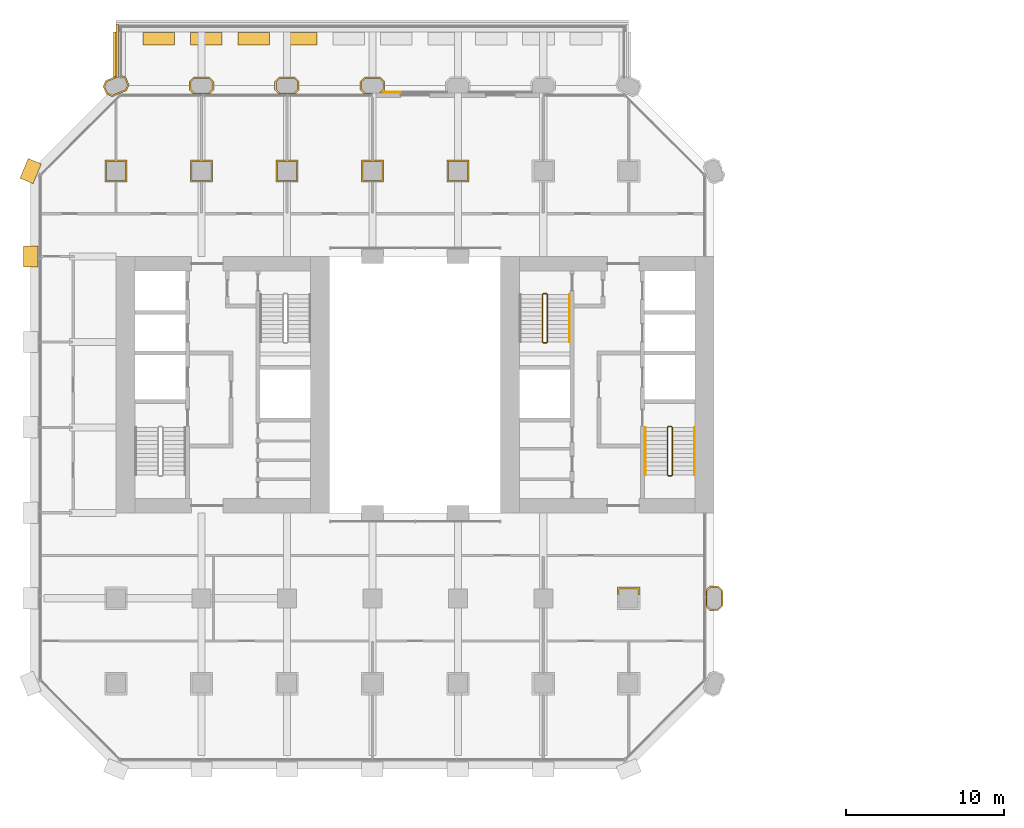
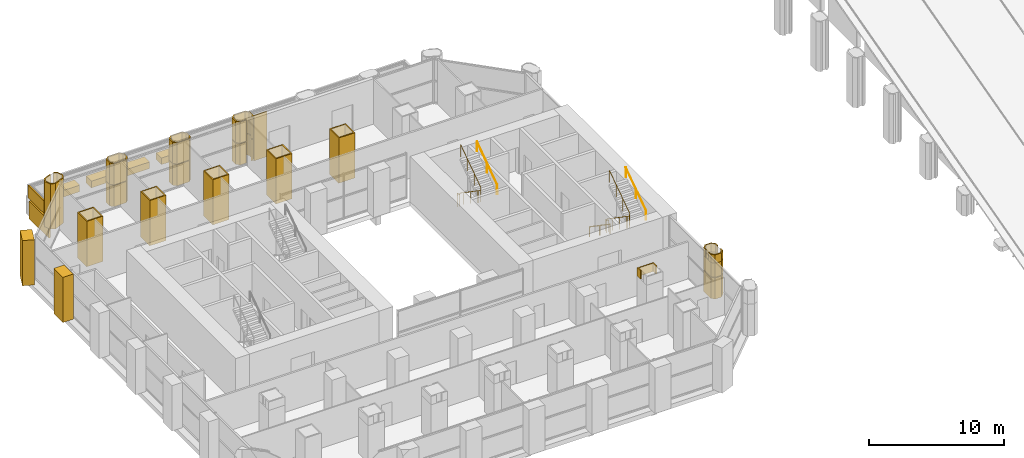
# One storey, part 20 of 23: 26 coverings, 5 railings.
"""IFC4 building model written with IfcOpenShell, lengths in metres."""

from ifc_helpers import new_model, si_unit, direction, frame, frame_2d, origin, origin_2d, place, context, subcontext, project, spatial, polyline, rectangle, circle, outline, extrude, material, layer, layer_set, type_object, element, save


model = new_model("IFC4")

# Units and contexts
model_context = context("Model", 3, precision=1e-05, world=origin(), true_north=direction((0.0, 1.0)))
body_context = subcontext(model_context, "Body", "Model", "MODEL_VIEW")
ifc_project = project(units=[si_unit("LENGTHUNIT", "METRE"), si_unit("AREAUNIT", "SQUARE_METRE"), si_unit("VOLUMEUNIT", "CUBIC_METRE"), si_unit("PLANEANGLEUNIT", "RADIAN"), si_unit("MASSUNIT", "GRAM", prefix="KILO")], contexts=[model_context])

# Site, building, storey
site_placement = place(None, origin())
site = spatial("IfcSite", under=ifc_project, at=site_placement, CompositionType="ELEMENT")
building_placement = place(site_placement, origin())
building = spatial("IfcBuilding", under=site, at=building_placement, Name="Tabaq Tower and Sports Hall", CompositionType="ELEMENT")
storey_placement = place(building_placement, frame((0.0, 0.0, 24.60009765625)))
storey = spatial("IfcBuildingStorey", under=building, at=storey_placement, Name="L04", CompositionType="ELEMENT", Elevation=24.60009765625)

# Coverings
ifc_material_1 = material(Name="Precast concrete C60/75", Category="concrete")
ifc_layer_1 = layer(ifc_material_1, 0.10009765625)
ifc_layer_set_1 = layer_set([ifc_layer_1], Name="Column cladding 100")
covering_type_1 = type_object("IfcCoveringType", Name="Column cladding 100", PredefinedType="CLADDING", material=ifc_layer_set_1)
covering_1_placement = place(storey_placement, origin())
element("IfcCovering", 1, at=covering_1_placement, inside=storey, type_object=covering_type_1, Name="Column cladding L04 CC-2H-P", PredefinedType="CLADDING", context=body_context, shape_type="SweptSolid", body=[
    extrude(outline(polyline([(4.7001953125, 38.499755859375), (6.099609375, 38.499755859375), (6.099609375, 37.100341796875), (4.7001953125, 37.100341796875), (4.7001953125, 38.499755859375)]), holes=[polyline([(6.000244140625, 37.19970703125), (6.000244140625, 38.400390625), (4.7998046875, 38.400390625), (4.7998046875, 37.19970703125), (6.000244140625, 37.19970703125)])]), origin(), (0.0, 0.0, 1.0), 4.099853515625),
])
covering_2_placement = place(storey_placement, origin())
element("IfcCovering", 2, at=covering_2_placement, inside=storey, type_object=covering_type_1, Name="Column cladding L04 PC-2I-P", PredefinedType="CLADDING", context=body_context, shape_type="SweptSolid", body=[
    extrude(outline(polyline([(4.582275390625, 43.149658203125), (4.73583984375, 43.519775390625), (5.399658203125, 43.794921875), (5.399658203125, 43.69970703125), (5.4296875, 43.69970703125), (4.811767578125, 43.44384765625), (4.68994140625, 43.149658203125), (4.8623046875, 42.733642578125), (5.156494140625, 42.61181640625), (5.98828125, 42.956298828125), (6.110107421875, 43.25048828125), (5.937744140625, 43.66650390625), (5.710205078125, 43.7607421875), (5.710205078125, 43.8681640625), (6.013916015625, 43.742431640625), (6.217529296875, 43.25048828125), (6.064208984375, 42.880126953125), (5.60595703125, 42.690185546875), (5.586181640625, 42.690185546875), (5.586181640625, 42.68212890625), (5.156494140625, 42.504150390625), (4.7861328125, 42.657470703125), (4.582275390625, 43.149658203125)])), origin(), (0.0, 0.0, 1.0), 4.099853515625),
])
covering_3_placement = place(storey_placement, origin())
element("IfcCovering", 3, at=covering_3_placement, inside=storey, type_object=covering_type_1, Name="Column cladding L04 CC-3H-P", PredefinedType="CLADDING", context=body_context, shape_type="SweptSolid", body=[
    extrude(outline(polyline([(10.100341796875, 38.499755859375), (11.499755859375, 38.499755859375), (11.499755859375, 37.100341796875), (10.100341796875, 37.100341796875), (10.100341796875, 38.499755859375)]), holes=[polyline([(11.400390625, 37.19970703125), (11.400390625, 38.400390625), (10.19970703125, 38.400390625), (10.19970703125, 37.19970703125), (11.400390625, 37.19970703125)])]), origin(), (0.0, 0.0, 1.0), 4.099853515625),
])
covering_4_placement = place(storey_placement, frame((0.0, 0.0, 0.102294921875)))
element("IfcCovering", 4, at=covering_4_placement, inside=storey, type_object=covering_type_1, Name="Column cladding L04 PC-3I-P", PredefinedType="CLADDING", context=body_context, shape_type="SweptSolid", body=[
    extrude(outline(polyline([(10.025390625, 43.46630859375), (10.30859375, 43.749755859375), (11.291259765625, 43.749755859375), (11.57470703125, 43.46630859375), (11.57470703125, 42.93359375), (11.331298828125, 42.690185546875), (10.268798828125, 42.690185546875), (10.025390625, 42.93359375), (10.025390625, 43.46630859375)]), holes=[polyline([(11.475341796875, 42.974853515625), (11.475341796875, 43.425048828125), (11.250244140625, 43.650390625), (10.349853515625, 43.650390625), (10.124755859375, 43.425048828125), (10.124755859375, 42.974853515625), (10.349853515625, 42.749755859375), (11.250244140625, 42.749755859375), (11.475341796875, 42.974853515625)])]), origin(), (0.0, 0.0, 1.0), 1.9150390625),
])
covering_5_placement = place(storey_placement, frame((0.0, 0.0, 2.08251953125)))
element("IfcCovering", 5, at=covering_5_placement, inside=storey, type_object=covering_type_1, Name="Column cladding L04 PC-3I-P 2", PredefinedType="CLADDING", context=body_context, shape_type="SweptSolid", body=[
    extrude(outline(polyline([(10.025390625, 43.46630859375), (10.30859375, 43.749755859375), (11.291259765625, 43.749755859375), (11.57470703125, 43.46630859375), (11.57470703125, 42.93359375), (11.331298828125, 42.690185546875), (10.268798828125, 42.690185546875), (10.025390625, 42.93359375), (10.025390625, 43.46630859375)]), holes=[polyline([(11.475341796875, 42.974853515625), (11.475341796875, 43.425048828125), (11.250244140625, 43.650390625), (10.349853515625, 43.650390625), (10.124755859375, 43.425048828125), (10.124755859375, 42.974853515625), (10.349853515625, 42.749755859375), (11.250244140625, 42.749755859375), (11.475341796875, 42.974853515625)])]), origin(), (0.0, 0.0, 1.0), 1.914794921875),
])
covering_6_placement = place(storey_placement, origin())
element("IfcCovering", 6, at=covering_6_placement, inside=storey, type_object=covering_type_1, Name="Column cladding L04 CC-4H-P", PredefinedType="CLADDING", context=body_context, shape_type="SweptSolid", body=[
    extrude(outline(polyline([(15.500244140625, 38.499755859375), (16.899658203125, 38.499755859375), (16.899658203125, 37.100341796875), (15.500244140625, 37.100341796875), (15.500244140625, 38.499755859375)]), holes=[polyline([(16.80029296875, 37.19970703125), (16.80029296875, 38.400390625), (15.599609375, 38.400390625), (15.599609375, 37.19970703125), (16.80029296875, 37.19970703125)])]), origin(), (0.0, 0.0, 1.0), 4.099853515625),
])
covering_7_placement = place(storey_placement, frame((0.0, 0.0, 0.102294921875)))
element("IfcCovering", 7, at=covering_7_placement, inside=storey, type_object=covering_type_1, Name="Column cladding L04 PC-4I-P", PredefinedType="CLADDING", context=body_context, shape_type="SweptSolid", body=[
    extrude(outline(polyline([(15.42529296875, 43.46630859375), (15.708740234375, 43.749755859375), (16.69140625, 43.749755859375), (16.974609375, 43.46630859375), (16.974609375, 42.93359375), (16.731201171875, 42.690185546875), (15.668701171875, 42.690185546875), (15.42529296875, 42.93359375), (15.42529296875, 43.46630859375)]), holes=[polyline([(16.875244140625, 42.974853515625), (16.875244140625, 43.425048828125), (16.650146484375, 43.650390625), (15.749755859375, 43.650390625), (15.524658203125, 43.425048828125), (15.524658203125, 42.974853515625), (15.749755859375, 42.749755859375), (16.650146484375, 42.749755859375), (16.875244140625, 42.974853515625)])]), origin(), (0.0, 0.0, 1.0), 1.9150390625),
])
covering_8_placement = place(storey_placement, frame((0.0, 0.0, 2.08251953125)))
element("IfcCovering", 8, at=covering_8_placement, inside=storey, type_object=covering_type_1, Name="Column cladding L04 PC-4I-P 2", PredefinedType="CLADDING", context=body_context, shape_type="SweptSolid", body=[
    extrude(outline(polyline([(15.42529296875, 43.46630859375), (15.708740234375, 43.749755859375), (16.69140625, 43.749755859375), (16.974609375, 43.46630859375), (16.974609375, 42.93359375), (16.731201171875, 42.690185546875), (15.668701171875, 42.690185546875), (15.42529296875, 42.93359375), (15.42529296875, 43.46630859375)]), holes=[polyline([(16.875244140625, 42.974853515625), (16.875244140625, 43.425048828125), (16.650146484375, 43.650390625), (15.749755859375, 43.650390625), (15.524658203125, 43.425048828125), (15.524658203125, 42.974853515625), (15.749755859375, 42.749755859375), (16.650146484375, 42.749755859375), (16.875244140625, 42.974853515625)])]), origin(), (0.0, 0.0, 1.0), 1.914794921875),
])
covering_9_placement = place(storey_placement, origin())
element("IfcCovering", 9, at=covering_9_placement, inside=storey, type_object=covering_type_1, Name="Column cladding L04 CC-5H-P", PredefinedType="CLADDING", context=body_context, shape_type="SweptSolid", body=[
    extrude(outline(polyline([(20.900390625, 38.499755859375), (22.2998046875, 38.499755859375), (22.2998046875, 37.100341796875), (20.900390625, 37.100341796875), (20.900390625, 38.499755859375)]), holes=[polyline([(22.2001953125, 37.19970703125), (22.2001953125, 38.400390625), (20.999755859375, 38.400390625), (20.999755859375, 37.19970703125), (22.2001953125, 37.19970703125)])]), origin(), (0.0, 0.0, 1.0), 4.099853515625),
])
covering_10_placement = place(storey_placement, frame((0.0, 0.0, 0.102294921875)))
element("IfcCovering", 10, at=covering_10_placement, inside=storey, type_object=covering_type_1, Name="Column cladding L04 PC-5I-P", PredefinedType="CLADDING", context=body_context, shape_type="SweptSolid", body=[
    extrude(outline(polyline([(20.8251953125, 43.46630859375), (21.108642578125, 43.749755859375), (22.09130859375, 43.749755859375), (22.374755859375, 43.46630859375), (22.374755859375, 42.93359375), (22.19140625, 42.750244140625), (22.05078125, 42.750244140625), (22.275390625, 42.974853515625), (22.275390625, 43.425048828125), (22.050048828125, 43.650390625), (21.14990234375, 43.650390625), (20.9248046875, 43.425048828125), (20.9248046875, 42.974853515625), (21.14990234375, 42.749755859375), (21.599609375, 42.749755859375), (21.599609375, 42.690185546875), (21.068603515625, 42.690185546875), (20.8251953125, 42.93359375), (20.8251953125, 43.46630859375)])), origin(), (0.0, 0.0, 1.0), 1.9150390625),
])
covering_11_placement = place(storey_placement, frame((0.0, 0.0, 2.08251953125)))
element("IfcCovering", 11, at=covering_11_placement, inside=storey, type_object=covering_type_1, Name="Column cladding L04 PC-5I-P 2", PredefinedType="CLADDING", context=body_context, shape_type="SweptSolid", body=[
    extrude(outline(polyline([(20.8251953125, 43.46630859375), (21.108642578125, 43.749755859375), (22.09130859375, 43.749755859375), (22.374755859375, 43.46630859375), (22.374755859375, 42.93359375), (22.19140625, 42.750244140625), (22.05078125, 42.750244140625), (22.275390625, 42.974853515625), (22.275390625, 43.425048828125), (22.050048828125, 43.650390625), (21.14990234375, 43.650390625), (20.9248046875, 43.425048828125), (20.9248046875, 42.974853515625), (21.14990234375, 42.749755859375), (21.599609375, 42.749755859375), (21.599609375, 42.690185546875), (21.068603515625, 42.690185546875), (20.8251953125, 42.93359375), (20.8251953125, 43.46630859375)])), origin(), (0.0, 0.0, 1.0), 1.914794921875),
])
covering_12_placement = place(storey_placement, origin())
element("IfcCovering", 12, at=covering_12_placement, inside=storey, type_object=covering_type_1, Name="Column cladding L04 CC-6H-P", PredefinedType="CLADDING", context=body_context, shape_type="SweptSolid", body=[
    extrude(outline(polyline([(26.30029296875, 38.499755859375), (27.69970703125, 38.499755859375), (27.69970703125, 37.100341796875), (26.30029296875, 37.100341796875), (26.30029296875, 38.499755859375)]), holes=[polyline([(27.600341796875, 37.19970703125), (27.600341796875, 38.400390625), (26.399658203125, 38.400390625), (26.399658203125, 37.19970703125), (27.600341796875, 37.19970703125)])]), origin(), (0.0, 0.0, 1.0), 4.099853515625),
])
covering_13_placement = place(storey_placement, frame((0.0, 0.0, 3.349853515625)))
element("IfcCovering", 13, at=covering_13_placement, inside=storey, type_object=covering_type_1, Name="Column cladding L04 CC-8C-P head 2", PredefinedType="CLADDING", context=body_context, shape_type="SweptSolid", body=[
    extrude(outline(polyline([(38.499755859375, 11.499755859375), (38.499755859375, 11.025390625), (38.400390625, 11.025390625), (38.400390625, 11.400390625), (37.19970703125, 11.400390625), (37.19970703125, 11.025390625), (37.100341796875, 11.025390625), (37.100341796875, 11.499755859375), (38.499755859375, 11.499755859375)])), origin(), (0.0, 0.0, 1.0), 0.75),
])
covering_14_placement = place(storey_placement, frame((0.0, 0.0, 0.102294921875)))
element("IfcCovering", 14, at=covering_14_placement, inside=storey, type_object=covering_type_1, Name="Column cladding L04 PC-9C-P", PredefinedType="CLADDING", context=body_context, shape_type="SweptSolid", body=[
    extrude(outline(polyline([(42.93359375, 10.025390625), (42.690185546875, 10.268798828125), (42.690185546875, 11.331298828125), (42.93359375, 11.57470703125), (43.46630859375, 11.57470703125), (43.749755859375, 11.291259765625), (43.749755859375, 10.30859375), (43.46630859375, 10.025390625), (42.93359375, 10.025390625)]), holes=[polyline([(43.425048828125, 11.475341796875), (42.974853515625, 11.475341796875), (42.749755859375, 11.250244140625), (42.749755859375, 10.349853515625), (42.974853515625, 10.124755859375), (43.425048828125, 10.124755859375), (43.650390625, 10.349853515625), (43.650390625, 11.250244140625), (43.425048828125, 11.475341796875)])]), origin(), (0.0, 0.0, 1.0), 1.9150390625),
])
covering_15_placement = place(storey_placement, frame((0.0, 0.0, 2.08251953125)))
element("IfcCovering", 15, at=covering_15_placement, inside=storey, type_object=covering_type_1, Name="Column cladding L04 PC-9C-P 2", PredefinedType="CLADDING", context=body_context, shape_type="SweptSolid", body=[
    extrude(outline(polyline([(42.93359375, 10.025390625), (42.690185546875, 10.268798828125), (42.690185546875, 11.331298828125), (42.93359375, 11.57470703125), (43.46630859375, 11.57470703125), (43.749755859375, 11.291259765625), (43.749755859375, 10.30859375), (43.46630859375, 10.025390625), (42.93359375, 10.025390625)]), holes=[polyline([(43.425048828125, 11.475341796875), (42.974853515625, 11.475341796875), (42.749755859375, 11.250244140625), (42.749755859375, 10.349853515625), (42.974853515625, 10.124755859375), (43.425048828125, 10.124755859375), (43.650390625, 10.349853515625), (43.650390625, 11.250244140625), (43.425048828125, 11.475341796875)])]), origin(), (0.0, 0.0, 1.0), 1.267333984375),
])
covering_16_placement = place(storey_placement, frame((0.0, 0.0, 3.349853515625)))
element("IfcCovering", 16, at=covering_16_placement, inside=storey, type_object=covering_type_1, Name="Column cladding L04 PC-9C-P head", PredefinedType="CLADDING", context=body_context, shape_type="SweptSolid", body=[
    extrude(outline(polyline([(42.690185546875, 10.268798828125), (42.690185546875, 10.57470703125), (42.749755859375, 10.57470703125), (42.749755859375, 10.349853515625), (42.974853515625, 10.124755859375), (43.425048828125, 10.124755859375), (43.650390625, 10.349853515625), (43.650390625, 10.57470703125), (43.749755859375, 10.57470703125), (43.749755859375, 10.30859375), (43.46630859375, 10.025390625), (42.93359375, 10.025390625), (42.690185546875, 10.268798828125)])), origin(), (0.0, 0.0, 1.0), 0.75),
])
covering_17_placement = place(storey_placement, frame((0.0, 0.0, 3.349853515625)))
element("IfcCovering", 17, at=covering_17_placement, inside=storey, type_object=covering_type_1, Name="Column cladding L04 PC-9C-P head 2", PredefinedType="CLADDING", context=body_context, shape_type="SweptSolid", body=[
    extrude(outline(polyline([(42.690185546875, 11.331298828125), (42.93359375, 11.57470703125), (43.46630859375, 11.57470703125), (43.749755859375, 11.291259765625), (43.749755859375, 11.025390625), (43.650390625, 11.025390625), (43.650390625, 11.250244140625), (43.425048828125, 11.475341796875), (42.974853515625, 11.475341796875), (42.749755859375, 11.250244140625), (42.749755859375, 11.025390625), (42.690185546875, 11.025390625), (42.690185546875, 11.331298828125)])), origin(), (0.0, 0.0, 1.0), 0.75),
])
ifc_material_2 = material(Name="White precast concrete C60/75", Category="concrete")
covering_type_2 = type_object("IfcCoveringType", Name="Pier cladding hung 1350x900", PredefinedType="CLADDING", material=ifc_material_2)
covering_18_placement = place(storey_placement, frame((0.0, 33.074951171875, 0.0), z_axis=(0.0, 0.0, 1.0), x_axis=(0.0, -1.0, 0.0)))
element("IfcCovering", 18, at=covering_18_placement, inside=storey, type_object=covering_type_2, Name="Hung pier cladding 0/6", PredefinedType="CLADDING", context=body_context, shape_type="SweptSolid", body=[
    extrude(rectangle(XDim=1.349853515625, YDim=0.89990234375, at=frame_2d((0.6748046875, 0.0))), origin(), (0.0, 0.0, 1.0), 4.099853515625),
])
covering_19_placement = place(storey_placement, frame((0.25830078125, 38.423583984375, 0.0), z_axis=(0.0, 0.0, 1.0), x_axis=(-0.382649923473, -0.923893411637, 0.0)))
element("IfcCovering", 19, at=covering_19_placement, inside=storey, type_object=covering_type_2, Name="Hung pier cladding 0/7", PredefinedType="CLADDING", context=body_context, shape_type="SweptSolid", body=[
    extrude(rectangle(XDim=1.35009765625, YDim=0.89990234375, at=frame_2d((0.675048828125, 0.0))), origin(), (0.0, 0.0, 1.0), 4.099853515625),
])
ifc_material_3 = material(Name="Planting soil and drainage layer")
covering_type_3 = type_object("IfcCoveringType", Name="Planter 2000x800x600", PredefinedType="USERDEFINED", material=ifc_material_3)
for number, where, z_axis, x_axis, name in (
    (20, (17.10009765625, 46.169921875, -0.000244140625), (0.0, 0.0, 1.0), (-1.0, 0.0, 0.0), "Planter L04"),
    (21, (14.10009765625, 46.169921875, -0.000244140625), (0.0, 0.0, 1.0), (-1.0, 0.0, 0.0), "Planter L04"),
    (22, (11.10009765625, 46.169921875, -0.000244140625), (0.0, 0.0, 1.0), (-1.0, 0.0, 0.0), "Planter L04"),
    (23, (8.10009765625, 46.169921875, -0.000244140625), (0.0, 0.0, 1.0), (-1.0, 0.0, 0.0), "Planter L04"),
):
    element("IfcCovering", number, at=place(storey_placement, frame(where, z_axis=z_axis, x_axis=x_axis)), inside=storey, type_object=covering_type_3, Name=name, ObjectType="PLANTER", PredefinedType="USERDEFINED", context=body_context, shape_type="SweptSolid", body=[
        extrude(rectangle(XDim=2.0, YDim=0.800048828125, at=origin_2d()), origin(), (0.0, 0.0, 1.0), 0.60009765625),
    ])

# Railings
ifc_material_4 = material(Name="Stainless steel", Category="steel")
railing_type_1 = type_object("IfcRailingType", Name="Stair guard", PredefinedType="GUARDRAIL", material=ifc_material_4)
railing_1_placement = place(storey_placement, frame((40.5, 21.64990234375, 0.0)))
element("IfcRailing", 24, at=railing_1_placement, inside=storey, type_object=railing_type_1, Name="L04 ST3 stair guard 1", PredefinedType="GUARDRAIL", context=body_context, shape_type="SweptSolid", body=[
    extrude(circle(Radius=0.02392578125, at=origin_2d()), frame((0.0, 0.0, 1.076171875), z_axis=(-1.0, 0.0, 0.0), x_axis=(0.0, -1.0, 0.0)), (0.0, 0.0, 1.0), 0.199951171875),
    extrude(circle(Radius=0.02392578125, at=origin_2d()), frame((-0.199951171875, 0.0, 1.076171875), z_axis=(-0.249802250048, -0.248583702486, 0.935844527007), x_axis=(0.705375805398, -0.708833529934, 0.0)), (0.0, 0.0, 1.0), 0.200439453125),
    extrude(circle(Radius=0.02392578125, at=origin_2d()), frame((-0.25, -0.0498046875, 1.263671875), z_axis=(0.0, -0.824041924199, 0.566528822887), x_axis=(1.0, 0.0, 0.0)), (0.0, 0.0, 1.0), 3.640625),
    extrude(circle(Radius=0.02392578125, at=origin_2d()), frame((-0.25, -3.0498046875, 3.326171875), z_axis=(0.707106781187, -0.707106781187, 0.0), x_axis=(0.707106781187, 0.707106781187, 0.0)), (0.0, 0.0, 1.0), 0.07080078125),
    extrude(circle(Radius=0.02392578125, at=origin_2d()), frame((-0.199951171875, -3.099853515625, 3.326171875), z_axis=(1.0, 0.0, 0.0), x_axis=(0.0, 1.0, 0.0)), (0.0, 0.0, 1.0), 0.199951171875),
    extrude(circle(Radius=0.02392578125, at=origin_2d()), frame((0.0, -3.099853515625, 3.326171875), z_axis=(0.249726431254, 0.249726431254, 0.935560483917), x_axis=(-0.707106781187, 0.707106781187, 0.0)), (0.0, 0.0, 1.0), 0.200439453125),
    extrude(circle(Radius=0.02392578125, at=origin_2d()), frame((0.050048828125, -3.0498046875, 3.513671875), z_axis=(0.0, 0.824041924199, 0.566528822887), x_axis=(-1.0, 0.0, 0.0)), (0.0, 0.0, 1.0), 3.640625),
    extrude(circle(Radius=0.02099609375, at=origin_2d()), origin(), (0.0, 0.0, 1.0), 1.052001953125),
    extrude(circle(Radius=0.02099609375, at=origin_2d()), frame((-0.199951171875, 0.0, 0.0)), (0.0, 0.0, 1.0), 1.052001953125),
    extrude(circle(Radius=0.02099609375, at=origin_2d()), frame((-0.25, -0.0498046875, 0.1875)), (0.0, 0.0, 1.0), 1.052001953125),
    extrude(circle(Radius=0.02099609375, at=origin_2d()), frame((-0.25, -1.0498046875, 0.875)), (0.0, 0.0, 1.0), 1.052001953125),
    extrude(circle(Radius=0.02099609375, at=origin_2d()), frame((-0.25, -2.0498046875, 1.5625)), (0.0, 0.0, 1.0), 1.052001953125),
    extrude(circle(Radius=0.02099609375, at=origin_2d()), frame((-0.25, -3.0498046875, 2.25)), (0.0, 0.0, 1.0), 1.052001953125),
    extrude(circle(Radius=0.02099609375, at=origin_2d()), frame((-0.199951171875, -3.099853515625, 2.25)), (0.0, 0.0, 1.0), 1.052001953125),
    extrude(circle(Radius=0.02099609375, at=origin_2d()), frame((0.0, -3.099853515625, 2.25)), (0.0, 0.0, 1.0), 1.052001953125),
    extrude(circle(Radius=0.02099609375, at=origin_2d()), frame((0.050048828125, -3.0498046875, 2.4375)), (0.0, 0.0, 1.0), 1.052001953125),
    extrude(circle(Radius=0.02099609375, at=origin_2d()), frame((0.050048828125, -2.0498046875, 3.125)), (0.0, 0.0, 1.0), 1.052001953125),
    extrude(circle(Radius=0.02099609375, at=origin_2d()), frame((0.050048828125, -1.0498046875, 3.8125)), (0.0, 0.0, 1.0), 1.052001953125),
    extrude(circle(Radius=0.02099609375, at=origin_2d()), frame((0.050048828125, -0.0498046875, 4.5)), (0.0, 0.0, 1.0), 1.052001953125),
])
railing_2_placement = place(storey_placement, frame((32.60009765625, 30.050048828125, 0.0)))
element("IfcRailing", 25, at=railing_2_placement, inside=storey, type_object=railing_type_1, Name="L04 ST4 stair guard 1", PredefinedType="GUARDRAIL", context=body_context, shape_type="SweptSolid", body=[
    extrude(circle(Radius=0.02392578125, at=origin_2d()), frame((0.0, 0.0, 1.076171875), z_axis=(-1.0, 0.0, 0.0), x_axis=(0.0, -1.0, 0.0)), (0.0, 0.0, 1.0), 0.2001953125),
    extrude(circle(Radius=0.02392578125, at=origin_2d()), frame((-0.2001953125, 0.0, 1.076171875), z_axis=(-0.248583702486, -0.249802250048, 0.935844527007), x_axis=(0.708833529934, -0.705375805398, 0.0)), (0.0, 0.0, 1.0), 0.200439453125),
    extrude(circle(Radius=0.02392578125, at=origin_2d()), frame((-0.25, -0.050048828125, 1.263671875), z_axis=(0.0, -0.824041924199, 0.566528822887), x_axis=(1.0, 0.0, 0.0)), (0.0, 0.0, 1.0), 3.640625),
    extrude(circle(Radius=0.02392578125, at=origin_2d()), frame((-0.25, -3.050048828125, 3.326171875), z_axis=(0.705375805398, -0.708833529934, 0.0), x_axis=(0.708833529934, 0.705375805398, 0.0)), (0.0, 0.0, 1.0), 0.070556640625),
    extrude(circle(Radius=0.02392578125, at=origin_2d()), frame((-0.2001953125, -3.10009765625, 3.326171875), z_axis=(1.0, 0.0, 0.0), x_axis=(0.0, 1.0, 0.0)), (0.0, 0.0, 1.0), 0.2001953125),
    extrude(circle(Radius=0.02392578125, at=origin_2d()), frame((0.0, -3.10009765625, 3.326171875), z_axis=(0.248583702486, 0.249802250048, 0.935844527007), x_axis=(-0.708833529934, 0.705375805398, 0.0)), (0.0, 0.0, 1.0), 0.200439453125),
    extrude(circle(Radius=0.02392578125, at=origin_2d()), frame((0.0498046875, -3.050048828125, 3.513671875), z_axis=(0.0, 0.824041924199, 0.566528822887), x_axis=(-1.0, 0.0, 0.0)), (0.0, 0.0, 1.0), 3.640625),
    extrude(circle(Radius=0.02099609375, at=origin_2d()), origin(), (0.0, 0.0, 1.0), 1.052001953125),
    extrude(circle(Radius=0.02099609375, at=origin_2d()), frame((-0.2001953125, 0.0, 0.0)), (0.0, 0.0, 1.0), 1.052001953125),
    extrude(circle(Radius=0.02099609375, at=origin_2d()), frame((-0.25, -0.050048828125, 0.1875)), (0.0, 0.0, 1.0), 1.052001953125),
    extrude(circle(Radius=0.02099609375, at=origin_2d()), frame((-0.25, -1.050048828125, 0.875)), (0.0, 0.0, 1.0), 1.052001953125),
    extrude(circle(Radius=0.02099609375, at=origin_2d()), frame((-0.25, -2.050048828125, 1.5625)), (0.0, 0.0, 1.0), 1.052001953125),
    extrude(circle(Radius=0.02099609375, at=origin_2d()), frame((-0.25, -3.050048828125, 2.25)), (0.0, 0.0, 1.0), 1.052001953125),
    extrude(circle(Radius=0.02099609375, at=origin_2d()), frame((-0.2001953125, -3.10009765625, 2.25)), (0.0, 0.0, 1.0), 1.052001953125),
    extrude(circle(Radius=0.02099609375, at=origin_2d()), frame((0.0, -3.10009765625, 2.25)), (0.0, 0.0, 1.0), 1.052001953125),
    extrude(circle(Radius=0.02099609375, at=origin_2d()), frame((0.0498046875, -3.050048828125, 2.4375)), (0.0, 0.0, 1.0), 1.052001953125),
    extrude(circle(Radius=0.02099609375, at=origin_2d()), frame((0.0498046875, -2.050048828125, 3.125)), (0.0, 0.0, 1.0), 1.052001953125),
    extrude(circle(Radius=0.02099609375, at=origin_2d()), frame((0.0498046875, -1.050048828125, 3.8125)), (0.0, 0.0, 1.0), 1.052001953125),
    extrude(circle(Radius=0.02099609375, at=origin_2d()), frame((0.0498046875, -0.050048828125, 4.5)), (0.0, 0.0, 1.0), 1.052001953125),
])
ifc_material_5 = material(Name="Stainless steel", Category="steel")
railing_type_2 = type_object("IfcRailingType", Name="Stair handrail", PredefinedType="HANDRAIL", material=ifc_material_5)
railing_3_placement = place(storey_placement, frame((38.85009765625, 21.60009765625, 0.1875)))
element("IfcRailing", 26, at=railing_3_placement, inside=storey, type_object=railing_type_2, Name="L04 ST3 stair handrail 1", PredefinedType="HANDRAIL", context=body_context, shape_type="SweptSolid", body=[
    extrude(circle(Radius=0.02392578125, at=origin_2d()), frame((0.0, 0.0, 0.8759765625), z_axis=(0.0, -0.824041924199, 0.566528822887), x_axis=(1.0, 0.0, 0.0)), (0.0, 0.0, 1.0), 3.640625),
    extrude(circle(Radius=0.02099609375, at=origin_2d()), origin(), (0.0, 0.0, 1.0), 0.851806640625),
    extrude(circle(Radius=0.02099609375, at=origin_2d()), frame((0.0, -1.5, 1.03125)), (0.0, 0.0, 1.0), 0.851806640625),
    extrude(circle(Radius=0.02099609375, at=origin_2d()), frame((0.0, -3.0, 2.0625)), (0.0, 0.0, 1.0), 0.851806640625),
])
for number, where, name in (
    (27, (41.949951171875, 18.60009765625, 2.4375), "L04 ST3 stair handrail 2"),
    (28, (34.050048828125, 27.0, 2.4375), "L04 ST4 stair handrail 2"),
):
    element("IfcRailing", number, at=place(storey_placement, frame(where)), inside=storey, type_object=railing_type_2, Name=name, PredefinedType="HANDRAIL", context=body_context, shape_type="SweptSolid", body=[
        extrude(circle(Radius=0.02392578125, at=origin_2d()), frame((0.0, 0.0, 0.8759765625), z_axis=(0.0, 0.824041924199, 0.566528822887), x_axis=(-1.0, 0.0, 0.0)), (0.0, 0.0, 1.0), 3.640625),
        extrude(circle(Radius=0.02099609375, at=origin_2d()), origin(), (0.0, 0.0, 1.0), 0.851806640625),
        extrude(circle(Radius=0.02099609375, at=origin_2d()), frame((0.0, 1.5, 1.03125)), (0.0, 0.0, 1.0), 0.851806640625),
        extrude(circle(Radius=0.02099609375, at=origin_2d()), frame((0.0, 3.0, 2.0625)), (0.0, 0.0, 1.0), 0.851806640625),
    ])

# Coverings
ifc_material_6 = material(Name="Precast concrete C60/75", Category="concrete")
ifc_layer_2 = layer(ifc_material_6, 0.14990234375)
ifc_layer_set_2 = layer_set([ifc_layer_2], Name="Tray fascia 1200")
covering_type_4 = type_object("IfcCoveringType", Name="Tray fascia 1200", PredefinedType="CLADDING", material=ifc_layer_set_2)
covering_20_placement = place(storey_placement, frame((5.324951171875, 43.69677734375, -1.60009765625), z_axis=(0.0, 0.0, 1.0), x_axis=(0.0, 1.0, 0.0)))
element("IfcCovering", 29, at=covering_20_placement, inside=storey, type_object=covering_type_4, Name="Tray fascia L04 EBT", PredefinedType="CLADDING", context=body_context, shape_type="SweptSolid", body=[
    extrude(rectangle(XDim=2.9033203125, YDim=0.14990234375, at=frame_2d((1.45166015625, 0.0))), origin(), (0.0, 0.0, 1.0), 1.60009765625),
])
ifc_material_7 = material(Name="Precast concrete C60/75", Category="concrete")
ifc_layer_3 = layer(ifc_material_7, 0.14990234375)
ifc_layer_set_3 = layer_set([ifc_layer_3], Name="Tray upstand cladding 1100")
covering_type_5 = type_object("IfcCoveringType", Name="Tray upstand cladding 1100", PredefinedType="CLADDING", material=ifc_layer_set_3)
covering_21_placement = place(storey_placement, frame((5.47509765625, 43.699951171875, 0.0), z_axis=(0.0, 0.0, 1.0), x_axis=(0.0, 1.0, 0.0)))
element("IfcCovering", 30, at=covering_21_placement, inside=storey, type_object=covering_type_5, Name="Tray upstand cladding L04", PredefinedType="CLADDING", context=body_context, shape_type="SweptSolid", body=[
    extrude(rectangle(XDim=3.35009765625, YDim=0.14990234375, at=frame_2d((1.675048828125, 0.0))), origin(), (0.0, 0.0, 1.0), 1.099853515625),
])
ifc_material_8 = material(Name="Precast concrete C60/75", Category="concrete")
ifc_layer_4 = layer(ifc_material_8, 0.06005859375)
ifc_layer_set_4 = layer_set([ifc_layer_4], Name="White precast cladding panel 60 C60/75")
covering_type_6 = type_object("IfcCoveringType", Name="White precast cladding panel 60 C60/75", PredefinedType="CLADDING", material=ifc_layer_set_4)
covering_22_placement = place(storey_placement, frame((23.389892578125, 42.780029296875, 0.0), z_axis=(0.0, 0.0, 1.0), x_axis=(-1.0, 0.0, 0.0)))
element("IfcCovering", 31, at=covering_22_placement, inside=storey, type_object=covering_type_6, Name="White precast cladding panel L04 infill04-0-1 6", PredefinedType="CLADDING", context=body_context, shape_type="SweptSolid", body=[
    extrude(rectangle(XDim=1.10498046875, YDim=0.06005859375, at=frame_2d((0.552490234375, 0.0))), origin(), (0.0, 0.0, 1.0), 4.099853515625),
])

save(model, "model.ifc")
